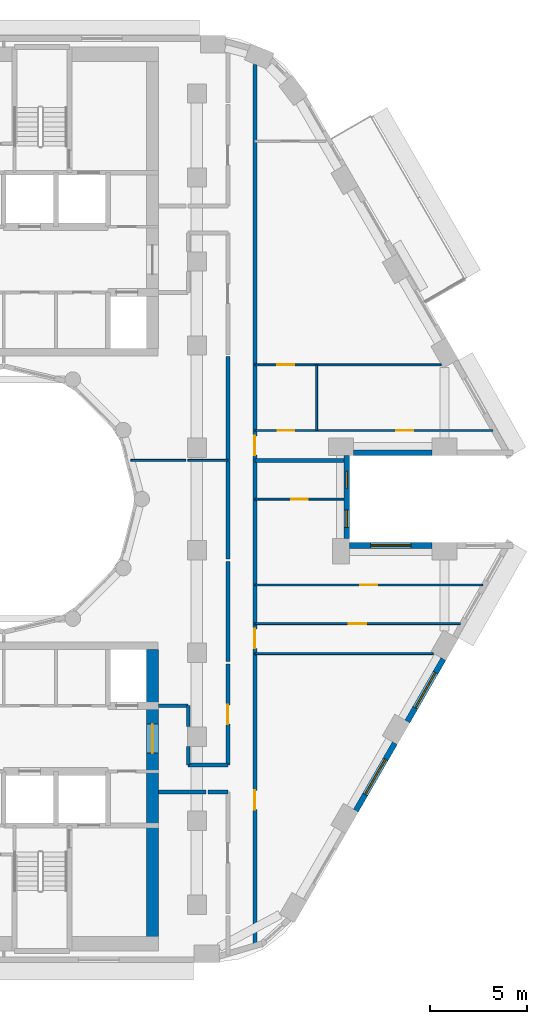
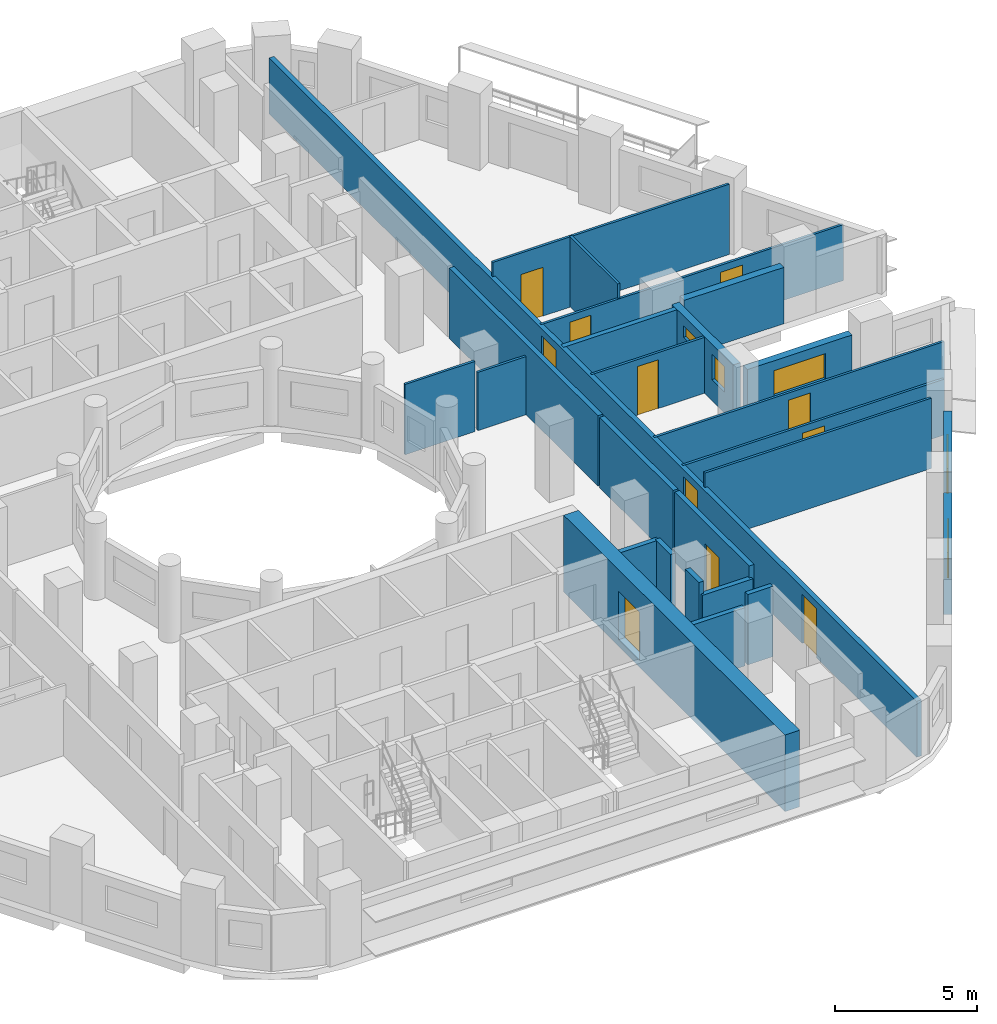
# One storey, part 6 of 14: 26 walls, 11 doors, 5 windows, 16 openings.
"""IFC4 building model written with IfcOpenShell, lengths in metres."""

from ifc_helpers import new_model, si_unit, direction, frame, frame_2d, origin, place, context, subcontext, project, spatial, rectangle, extrude, material, layer, layer_set, type_object, element, fill, save


model = new_model("IFC4")

# Units and contexts
model_context = context("Model", 3, precision=1e-05, world=origin(), true_north=direction((0.0, 1.0)))
body_context = subcontext(model_context, "Body", "Model", "MODEL_VIEW")
ifc_project = project(units=[si_unit("LENGTHUNIT", "METRE"), si_unit("AREAUNIT", "SQUARE_METRE"), si_unit("VOLUMEUNIT", "CUBIC_METRE"), si_unit("PLANEANGLEUNIT", "RADIAN"), si_unit("MASSUNIT", "GRAM", prefix="KILO")], contexts=[model_context])

# Site, building, storey
site_placement = place(None, origin())
site = spatial("IfcSite", under=ifc_project, at=site_placement, CompositionType="ELEMENT")
building_placement = place(site_placement, origin())
building = spatial("IfcBuilding", under=site, at=building_placement, Name="Nakaniwa Court", CompositionType="ELEMENT")
storey_placement = place(building_placement, frame((0.0, 0.0, 163.5)))
storey = spatial("IfcBuildingStorey", under=building, at=storey_placement, Name="L43", CompositionType="ELEMENT", Elevation=163.5)

# Wall, opening, door
ifc_material_1 = material(Name="Acoustic double stud partition")
ifc_layer_1 = layer(ifc_material_1, 0.199951171875)
ifc_layer_set_1 = layer_set([ifc_layer_1], Name="Acoustic double stud partition")
wall_type_1 = type_object("IfcWallType", Name="Acoustic double stud partition 200", PredefinedType="PARTITIONING", material=ifc_layer_set_1)
wall_1_placement = place(storey_placement, frame((91.60009765625, 66.22509765625, 0.0), z_axis=(0.0, 0.0, 1.0), x_axis=(0.0, 1.0, 0.0)))
wall_1 = element("IfcWall", 1, at=wall_1_placement, inside=storey, type_object=wall_type_1, Name="Partition PW-075", PredefinedType="PARTITIONING", context=body_context, shape_type="SweptSolid", body=[
    extrude(rectangle(XDim=5.247802734375, YDim=0.199951171875, at=frame_2d((2.6240234375, 0.0))), origin(), (0.0, 0.0, 1.0), 3.02490234375),
])
opening_1_placement = place(wall_1_placement, frame((2.123046875, 0.0, 0.0)))
opening_1 = element("IfcOpeningElement", 2, at=opening_1_placement, cuts=wall_1, Name="Opening D-02-03", PredefinedType="OPENING", context=body_context, shape_type="SweptSolid", body=[
    extrude(rectangle(XDim=1.0, YDim=2.10009765625, at=frame_2d((0.5, 1.050048828125))), frame((0.0, 0.10986328125, 0.0), z_axis=(0.0, -1.0, 0.0), x_axis=(1.0, 0.0, 0.0)), (0.0, 0.0, 1.0), 0.219970703125),
])
ifc_material_2 = material(Name="Solid core timber door set, black veneer", Category="wood")
door_type_1 = type_object("IfcDoorType", Name="Internal door 1000", OperationType="NOTDEFINED", PredefinedType="DOOR", material=ifc_material_2)
door_1_placement = place(opening_1_placement, origin())
door_1 = element("IfcDoor", 3, at=door_1_placement, inside=storey, type_object=door_type_1, Name="Door D-02-03 L43-031", OperationType="SINGLE_SWING_RIGHT", OverallHeight=2.10009765625, OverallWidth=1.0, PredefinedType="DOOR", context=body_context, shape_type="SweptSolid", body=[
    extrude(rectangle(XDim=1.0, YDim=2.10009765625, at=frame_2d((0.5, 1.050048828125))), frame((0.0, 0.02490234375, 0.0), z_axis=(0.0, -1.0, 0.0), x_axis=(1.0, 0.0, 0.0)), (0.0, 0.0, 1.0), 0.050048828125),
])
fill(opening_1, door_1)

# Walls
wall_2_placement = place(storey_placement, frame((91.60009765625, 71.587158203125, 0.0), z_axis=(0.0, 0.0, 1.0), x_axis=(0.0, 1.0, 0.0)))
element("IfcWall", 4, at=wall_2_placement, inside=storey, type_object=wall_type_1, Name="Partition PW-076", PredefinedType="PARTITIONING", context=body_context, shape_type="SweptSolid", body=[
    extrude(rectangle(XDim=5.185546875, YDim=0.199951171875, at=frame_2d((2.5927734375, 0.0))), origin(), (0.0, 0.0, 1.0), 3.02490234375),
])
wall_3_placement = place(storey_placement, frame((91.60009765625, 76.88720703125, 0.0), z_axis=(0.0, 0.0, 1.0), x_axis=(0.0, 1.0, 0.0)))
element("IfcWall", 5, at=wall_3_placement, inside=storey, type_object=wall_type_1, Name="Partition PW-077", PredefinedType="PARTITIONING", context=body_context, shape_type="SweptSolid", body=[
    extrude(rectangle(XDim=10.485595703125, YDim=0.199951171875, at=frame_2d((5.24267578125, 0.0))), origin(), (0.0, 0.0, 1.0), 3.02490234375),
])
wall_4_placement = place(storey_placement, frame((88.0, 64.824951171875, 0.0), z_axis=(0.0, 0.0, 1.0), x_axis=(1.0, 0.0, 0.0)))
element("IfcWall", 6, at=wall_4_placement, inside=storey, type_object=wall_type_1, Name="Partition PW-083", PredefinedType="PARTITIONING", context=body_context, shape_type="SweptSolid", body=[
    extrude(rectangle(XDim=2.462890625, YDim=0.199951171875, at=frame_2d((1.2314453125, 0.0))), origin(), (0.0, 0.0, 1.0), 2.5048828125),
])
wall_5_placement = place(storey_placement, frame((90.5771484375, 64.824951171875, 0.0), z_axis=(0.0, 0.0, 1.0), x_axis=(1.0, 0.0, 0.0)))
element("IfcWall", 7, at=wall_5_placement, inside=storey, type_object=wall_type_1, Name="Partition PW-084", PredefinedType="PARTITIONING", context=body_context, shape_type="SweptSolid", body=[
    extrude(rectangle(XDim=1.02294921875, YDim=0.199951171875, at=frame_2d((0.511474609375, 0.0))), origin(), (0.0, 0.0, 1.0), 3.02490234375),
])

# Wall, openings, doors
wall_6_placement = place(storey_placement, frame((93.0, 102.498046875, 0.0), z_axis=(0.0, 0.0, 1.0), x_axis=(0.0, -1.0, 0.0)))
wall_6 = element("IfcWall", 8, at=wall_6_placement, inside=storey, type_object=wall_type_1, Name="Partition PW-085", PredefinedType="PARTITIONING", context=body_context, shape_type="SweptSolid", body=[
    extrude(rectangle(XDim=45.664794921875, YDim=0.199951171875, at=frame_2d((22.83251953125, 0.0))), origin(), (0.0, 0.0, 1.0), 2.405029296875),
])
opening_2_placement = place(wall_6_placement, frame((37.5810546875, 0.0, 0.0)))
opening_2 = element("IfcOpeningElement", 9, at=opening_2_placement, cuts=wall_6, Name="Opening D-02-02", PredefinedType="OPENING", context=body_context, shape_type="SweptSolid", body=[
    extrude(rectangle(XDim=1.0, YDim=2.10009765625, at=frame_2d((0.5, 1.050048828125))), frame((0.0, 0.10986328125, 0.0), z_axis=(0.0, -1.0, 0.0), x_axis=(1.0, 0.0, 0.0)), (0.0, 0.0, 1.0), 0.219970703125),
])
opening_3_placement = place(wall_6_placement, frame((29.222900390625, 0.0, 0.0)))
opening_3 = element("IfcOpeningElement", 10, at=opening_3_placement, cuts=wall_6, Name="Opening D-01-01", PredefinedType="OPENING", context=body_context, shape_type="SweptSolid", body=[
    extrude(rectangle(XDim=1.0, YDim=2.10009765625, at=frame_2d((0.5, 1.050048828125))), frame((0.0, 0.10986328125, 0.0), z_axis=(0.0, -1.0, 0.0), x_axis=(1.0, 0.0, 0.0)), (0.0, 0.0, 1.0), 0.219970703125),
])
opening_4_placement = place(wall_6_placement, frame((19.222900390625, 0.0, 0.0)))
opening_4 = element("IfcOpeningElement", 11, at=opening_4_placement, cuts=wall_6, Name="Opening D-01-02", PredefinedType="OPENING", context=body_context, shape_type="SweptSolid", body=[
    extrude(rectangle(XDim=1.0, YDim=2.10009765625, at=frame_2d((0.5, 1.050048828125))), frame((0.0, 0.10986328125, 0.0), z_axis=(0.0, -1.0, 0.0), x_axis=(1.0, 0.0, 0.0)), (0.0, 0.0, 1.0), 0.219970703125),
])
door_type_2 = type_object("IfcDoorType", Name="Flat entrance door 1000", OperationType="NOTDEFINED", PredefinedType="DOOR", material=ifc_material_2)
door_2_placement = place(opening_3_placement, origin())
door_2 = element("IfcDoor", 12, at=door_2_placement, inside=storey, type_object=door_type_2, Name="Door D-01-01 L43-032", OperationType="SINGLE_SWING_LEFT", OverallHeight=2.10009765625, OverallWidth=1.0, PredefinedType="DOOR", context=body_context, shape_type="SweptSolid", body=[
    extrude(rectangle(XDim=1.0, YDim=2.10009765625, at=frame_2d((0.5, 1.050048828125))), frame((0.0, 0.02490234375, 0.0), z_axis=(0.0, -1.0, 0.0), x_axis=(1.0, 0.0, 0.0)), (0.0, 0.0, 1.0), 0.050048828125),
])
fill(opening_3, door_2)
door_3_placement = place(opening_4_placement, origin())
door_3 = element("IfcDoor", 13, at=door_3_placement, inside=storey, type_object=door_type_2, Name="Door D-01-02 L43-036", OperationType="SINGLE_SWING_LEFT", OverallHeight=2.10009765625, OverallWidth=1.0, PredefinedType="DOOR", context=body_context, shape_type="SweptSolid", body=[
    extrude(rectangle(XDim=1.0, YDim=2.10009765625, at=frame_2d((0.5, 1.050048828125))), frame((0.0, 0.02490234375, 0.0), z_axis=(0.0, -1.0, 0.0), x_axis=(1.0, 0.0, 0.0)), (0.0, 0.0, 1.0), 0.050048828125),
])
fill(opening_4, door_3)
door_4_placement = place(opening_2_placement, origin())
door_4 = element("IfcDoor", 14, at=door_4_placement, inside=storey, type_object=door_type_1, Name="Door D-02-02 L43-030", OperationType="SINGLE_SWING_LEFT", OverallHeight=2.10009765625, OverallWidth=1.0, PredefinedType="DOOR", context=body_context, shape_type="SweptSolid", body=[
    extrude(rectangle(XDim=1.0, YDim=2.10009765625, at=frame_2d((0.5, 1.050048828125))), frame((0.0, 0.02490234375, 0.0), z_axis=(0.0, -1.0, 0.0), x_axis=(1.0, 0.0, 0.0)), (0.0, 0.0, 1.0), 0.050048828125),
])
fill(opening_2, door_4)

# Walls
wall_7_placement = place(storey_placement, frame((88.0, 69.300048828125, 0.0), z_axis=(0.0, 0.0, 1.0), x_axis=(1.0, 0.0, 0.0)))
element("IfcWall", 15, at=wall_7_placement, inside=storey, type_object=wall_type_1, Name="Partition PW-087", PredefinedType="PARTITIONING", context=body_context, shape_type="SweptSolid", body=[
    extrude(rectangle(XDim=1.550048828125, YDim=0.199951171875, at=frame_2d((0.77490234375, 0.0))), origin(), (0.0, 0.0, 1.0), 3.02490234375),
])
wall_8_placement = place(storey_placement, frame((89.550048828125, 66.22509765625, 0.0), z_axis=(0.0, 0.0, 1.0), x_axis=(0.0, 1.0, 0.0)))
element("IfcWall", 16, at=wall_8_placement, inside=storey, type_object=wall_type_1, Name="Partition PW-088", PredefinedType="PARTITIONING", context=body_context, shape_type="SweptSolid", body=[
    extrude(rectangle(XDim=0.957763671875, YDim=0.199951171875, at=frame_2d((0.47900390625, 0.0))), origin(), (0.0, 0.0, 1.0), 3.02490234375),
])
wall_9_placement = place(storey_placement, frame((89.550048828125, 68.21728515625, 0.0), z_axis=(0.0, 0.0, 1.0), x_axis=(0.0, 1.0, 0.0)))
element("IfcWall", 17, at=wall_9_placement, inside=storey, type_object=wall_type_1, Name="Partition PW-089", PredefinedType="PARTITIONING", context=body_context, shape_type="SweptSolid", body=[
    extrude(rectangle(XDim=1.082763671875, YDim=0.199951171875, at=frame_2d((0.54150390625, 0.0))), origin(), (0.0, 0.0, 1.0), 3.02490234375),
])
wall_10_placement = place(storey_placement, frame((89.550048828125, 66.22509765625, 0.0), z_axis=(0.0, 0.0, 1.0), x_axis=(1.0, 0.0, 0.0)))
element("IfcWall", 18, at=wall_10_placement, inside=storey, type_object=wall_type_1, Name="Partition PW-093", PredefinedType="PARTITIONING", context=body_context, shape_type="SweptSolid", body=[
    extrude(rectangle(XDim=2.050048828125, YDim=0.199951171875, at=frame_2d((1.02490234375, 0.0))), origin(), (0.0, 0.0, 1.0), 2.5048828125),
])
wall_11_placement = place(storey_placement, frame((93.0009765625, 82.0, 0.0), z_axis=(0.0, 0.0, 1.0), x_axis=(1.0, 0.0, 0.0)))
element("IfcWall", 19, at=wall_11_placement, inside=storey, type_object=wall_type_1, Name="Partition PW-127", PredefinedType="PARTITIONING", context=body_context, shape_type="SweptSolid", body=[
    extrude(rectangle(XDim=4.607421875, YDim=0.199951171875, at=frame_2d((2.3037109375, 0.0))), origin(), (0.0, 0.0, 1.0), 2.405029296875),
])
ifc_material_3 = material(Name="Charcoal ceramic cladding")
ifc_layer_2 = layer(ifc_material_3, 0.02, Name="Ceramic cladding")
ifc_material_4 = material(Name="Ventilated air cavity")
ifc_layer_3 = layer(ifc_material_4, 0.04, ventilated=True, Name="Ventilated cavity")
ifc_material_5 = material(Name="Mineral wool insulation")
ifc_layer_4 = layer(ifc_material_5, 0.1, Name="Insulation")
ifc_material_6 = material(Name="Cement bonded sheathing board")
ifc_layer_5 = layer(ifc_material_6, 0.012, Name="Sheathing")
ifc_material_7 = material(Name="Cold-formed galvanised stud frame with mineral wool infill")
ifc_layer_6 = layer(ifc_material_7, 0.1, Name="Stud frame")
ifc_material_8 = material(Name="Fire-rated gypsum plasterboard lining")
ifc_layer_7 = layer(ifc_material_8, 0.028, Name="Lining")
ifc_layer_set_2 = layer_set([ifc_layer_2, ifc_layer_3, ifc_layer_4, ifc_layer_5, ifc_layer_6, ifc_layer_7], Name="Charcoal ceramic faced external wall system")
wall_type_2 = type_object("IfcWallType", Name="Black ceramic faced external wall 300", PredefinedType="SOLIDWALL", material=ifc_layer_set_2)
wall_12_placement = place(storey_placement, frame((98.1044921875, 82.39990234375, 0.0), z_axis=(0.0, 0.0, 1.0), x_axis=(1.0, 0.0, 0.0)))
element("IfcWall", 20, at=wall_12_placement, inside=storey, type_object=wall_type_2, Name="L43 external wall 00", PredefinedType="SOLIDWALL", context=body_context, shape_type="SweptSolid", body=[
    extrude(rectangle(XDim=4.072509765625, YDim=0.300048828125, at=frame_2d((2.0361328125, 0.0))), origin(), (0.0, 0.0, 1.0), 2.425048828125),
])

# Wall, opening, window
wall_13_placement = place(storey_placement, frame((98.228271484375, 63.872314453125, 0.0), z_axis=(0.0, 0.0, 1.0), x_axis=(0.500031546601, 0.86600718958, 0.0)))
wall_13 = element("IfcWall", 21, at=wall_13_placement, inside=storey, type_object=wall_type_2, Name="L43 external wall 30", PredefinedType="SOLIDWALL", context=body_context, shape_type="SweptSolid", body=[
    extrude(rectangle(XDim=4.033935546875, YDim=0.300048828125, at=frame_2d((2.01708984375, 0.0))), origin(), (0.0, 0.0, 1.0), 2.425048828125),
])
opening_5_placement = place(wall_13_placement, frame((0.966796875, 0.0, 0.89990234375)))
opening_5 = element("IfcOpeningElement", 22, at=opening_5_placement, cuts=wall_13, Name="Opening W7.27", PredefinedType="OPENING", context=body_context, shape_type="SweptSolid", body=[
    extrude(rectangle(XDim=2.10009765625, YDim=1.10009765625, at=frame_2d((1.050048828125, 0.550048828125))), frame((0.0, 0.159912109375, 0.0), z_axis=(0.0, -1.0, 0.0), x_axis=(1.0, 0.0, 0.0)), (0.0, 0.0, 1.0), 0.320068359375),
])
ifc_material_9 = material(Name="Black anodised aluminium frame with dark low-E laminated double glazing", Category="aluminium")
window_type_1 = type_object("IfcWindowType", Name="Dark glass window 2100x1100 sill 900", PartitioningType="SINGLE_PANEL", PredefinedType="WINDOW", material=ifc_material_9)
window_1_placement = place(opening_5_placement, origin())
window_1 = element("IfcWindow", 23, at=window_1_placement, inside=storey, type_object=window_type_1, Name="L43 habitable room window 30-0", OverallHeight=1.10009765625, OverallWidth=2.10009765625, PartitioningType="SINGLE_PANEL", PredefinedType="WINDOW", context=body_context, shape_type="SweptSolid", body=[
    extrude(rectangle(XDim=2.10009765625, YDim=1.10009765625, at=frame_2d((1.050048828125, 0.550048828125))), frame((0.0, 0.030029296875, 0.0), z_axis=(0.0, -1.0, 0.0), x_axis=(1.0, 0.0, 0.0)), (0.0, 0.0, 1.0), 0.06005859375),
])
fill(opening_5, window_1)

wall_14_placement = place(storey_placement, frame((100.891357421875, 68.484619140625, 0.0), z_axis=(0.0, 0.0, 1.0), x_axis=(0.499933594891, 0.866063739398, 0.0)))
wall_14 = element("IfcWall", 24, at=wall_14_placement, inside=storey, type_object=wall_type_2, Name="L43 external wall 31", PredefinedType="SOLIDWALL", context=body_context, shape_type="SweptSolid", body=[
    extrude(rectangle(XDim=3.73681640625, YDim=0.300048828125, at=frame_2d((1.868408203125, 0.0))), origin(), (0.0, 0.0, 1.0), 2.425048828125),
])
opening_6_placement = place(wall_14_placement, frame((0.818359375, 0.0, 0.89990234375)))
opening_6 = element("IfcOpeningElement", 25, at=opening_6_placement, cuts=wall_14, Name="Opening W7.28", PredefinedType="OPENING", context=body_context, shape_type="SweptSolid", body=[
    extrude(rectangle(XDim=2.10009765625, YDim=1.10009765625, at=frame_2d((1.050048828125, 0.550048828125))), frame((0.0, 0.159912109375, 0.0), z_axis=(0.0, -1.0, 0.0), x_axis=(1.0, 0.0, 0.0)), (0.0, 0.0, 1.0), 0.320068359375),
])
window_2_placement = place(opening_6_placement, origin())
window_2 = element("IfcWindow", 26, at=window_2_placement, inside=storey, type_object=window_type_1, Name="L43 habitable room window 31-0", OverallHeight=1.10009765625, OverallWidth=2.10009765625, PartitioningType="SINGLE_PANEL", PredefinedType="WINDOW", context=body_context, shape_type="SweptSolid", body=[
    extrude(rectangle(XDim=2.10009765625, YDim=1.10009765625, at=frame_2d((1.050048828125, 0.550048828125))), frame((0.0, 0.030029296875, 0.0), z_axis=(0.0, -1.0, 0.0), x_axis=(1.0, 0.0, 0.0)), (0.0, 0.0, 1.0), 0.06005859375),
])
fill(opening_6, window_2)

wall_15_placement = place(storey_placement, frame((102.177001953125, 77.60009765625, 0.0), z_axis=(0.0, 0.0, 1.0), x_axis=(-1.0, 0.0, 0.0)))
wall_15 = element("IfcWall", 27, at=wall_15_placement, inside=storey, type_object=wall_type_2, Name="L43 external wall 34", PredefinedType="SOLIDWALL", context=body_context, shape_type="SweptSolid", body=[
    extrude(rectangle(XDim=4.272705078125, YDim=0.300048828125, at=frame_2d((2.13623046875, 0.0))), origin(), (0.0, 0.0, 1.0), 2.425048828125),
])
opening_7_placement = place(wall_15_placement, frame((1.086181640625, 0.0, 0.89990234375)))
opening_7 = element("IfcOpeningElement", 28, at=opening_7_placement, cuts=wall_15, Name="Opening W7.32", PredefinedType="OPENING", context=body_context, shape_type="SweptSolid", body=[
    extrude(rectangle(XDim=2.10009765625, YDim=1.10009765625, at=frame_2d((1.050048828125, 0.550048828125))), frame((0.0, 0.159912109375, 0.0), z_axis=(0.0, -1.0, 0.0), x_axis=(1.0, 0.0, 0.0)), (0.0, 0.0, 1.0), 0.320068359375),
])
window_3_placement = place(opening_7_placement, origin())
window_3 = element("IfcWindow", 29, at=window_3_placement, inside=storey, type_object=window_type_1, Name="L43 living window 34-0", OverallHeight=1.10009765625, OverallWidth=2.10009765625, PartitioningType="SINGLE_PANEL", PredefinedType="WINDOW", context=body_context, shape_type="SweptSolid", body=[
    extrude(rectangle(XDim=2.10009765625, YDim=1.10009765625, at=frame_2d((1.050048828125, 0.550048828125))), frame((0.0, 0.030029296875, 0.0), z_axis=(0.0, -1.0, 0.0), x_axis=(1.0, 0.0, 0.0)), (0.0, 0.0, 1.0), 0.06005859375),
])
fill(opening_7, window_3)

# Wall, openings, windows
wall_16_placement = place(storey_placement, frame((97.75830078125, 77.946044921875, 0.0), z_axis=(0.0, 0.0, 1.0), x_axis=(0.0, 1.0, 0.0)))
wall_16 = element("IfcWall", 30, at=wall_16_placement, inside=storey, type_object=wall_type_2, Name="L43 external wall 35", PredefinedType="SOLIDWALL", context=body_context, shape_type="SweptSolid", body=[
    extrude(rectangle(XDim=4.307861328125, YDim=0.300048828125, at=frame_2d((2.15380859375, 0.0))), origin(), (0.0, 0.0, 1.0), 2.425048828125),
])
opening_8_placement = place(wall_16_placement, frame((0.58837890625, 0.0, 0.89990234375)))
opening_8 = element("IfcOpeningElement", 31, at=opening_8_placement, cuts=wall_16, Name="Opening W9.33", PredefinedType="OPENING", context=body_context, shape_type="SweptSolid", body=[
    extrude(rectangle(XDim=0.89990234375, YDim=1.10009765625, at=frame_2d((0.449951171875, 0.550048828125))), frame((0.0, 0.159912109375, 0.0), z_axis=(0.0, -1.0, 0.0), x_axis=(1.0, 0.0, 0.0)), (0.0, 0.0, 1.0), 0.320068359375),
])
opening_9_placement = place(wall_16_placement, frame((2.603271484375, 0.0, 1.5)))
opening_9 = element("IfcOpeningElement", 32, at=opening_9_placement, cuts=wall_16, Name="Opening W10.34", PredefinedType="OPENING", context=body_context, shape_type="SweptSolid", body=[
    extrude(rectangle(XDim=0.89990234375, YDim=0.5, at=frame_2d((0.449951171875, 0.25))), frame((0.0, 0.159912109375, 0.0), z_axis=(0.0, -1.0, 0.0), x_axis=(1.0, 0.0, 0.0)), (0.0, 0.0, 1.0), 0.320068359375),
])
window_type_2 = type_object("IfcWindowType", Name="Dark glass window 900x1100 sill 900", PartitioningType="SINGLE_PANEL", PredefinedType="WINDOW", material=ifc_material_9)
window_4_placement = place(opening_8_placement, origin())
window_4 = element("IfcWindow", 33, at=window_4_placement, inside=storey, type_object=window_type_2, Name="L43 living window 35-0", OverallHeight=1.10009765625, OverallWidth=0.89990234375, PartitioningType="SINGLE_PANEL", PredefinedType="WINDOW", context=body_context, shape_type="SweptSolid", body=[
    extrude(rectangle(XDim=0.89990234375, YDim=1.10009765625, at=frame_2d((0.449951171875, 0.550048828125))), frame((0.0, 0.030029296875, 0.0), z_axis=(0.0, -1.0, 0.0), x_axis=(1.0, 0.0, 0.0)), (0.0, 0.0, 1.0), 0.06005859375),
])
fill(opening_8, window_4)
window_type_3 = type_object("IfcWindowType", Name="Dark glass window 900x500 sill 1500", PartitioningType="SINGLE_PANEL", PredefinedType="WINDOW", material=ifc_material_9)
window_5_placement = place(opening_9_placement, origin())
window_5 = element("IfcWindow", 34, at=window_5_placement, inside=storey, type_object=window_type_3, Name="L43 bathroom window 35-1", OverallHeight=0.5, OverallWidth=0.89990234375, PartitioningType="SINGLE_PANEL", PredefinedType="WINDOW", context=body_context, shape_type="SweptSolid", body=[
    extrude(rectangle(XDim=0.89990234375, YDim=0.5, at=frame_2d((0.449951171875, 0.25))), frame((0.0, 0.030029296875, 0.0), z_axis=(0.0, -1.0, 0.0), x_axis=(1.0, 0.0, 0.0)), (0.0, 0.0, 1.0), 0.06005859375),
])
fill(opening_9, window_5)

# Wall, opening, door
ifc_material_10 = material(Name="Concrete C80/100", Category="concrete")
ifc_layer_8 = layer(ifc_material_10, 0.60009765625)
ifc_layer_set_3 = layer_set([ifc_layer_8], Name="Concrete C80/100")
wall_type_3 = type_object("IfcWallType", Name="Concrete core side wall 600 C80", PredefinedType="SHEAR", material=ifc_layer_set_3)
wall_17_placement = place(storey_placement, frame((87.699951171875, 72.199951171875, -0.27490234375), z_axis=(0.0, 0.0, 1.0), x_axis=(0.0, -1.0, 0.0)))
wall_17 = element("IfcWall", 35, at=wall_17_placement, inside=storey, type_object=wall_type_3, Name="Core wall SW-43", PredefinedType="SHEAR", context=body_context, shape_type="SweptSolid", body=[
    extrude(rectangle(XDim=15.599853515625, YDim=0.60009765625, at=frame_2d((7.7998046875, 0.0))), origin(), (0.0, 0.0, 1.0), 3.2998046875),
])
opening_10_placement = place(wall_17_placement, frame((3.85205078125, 0.0, 0.27490234375)))
opening_10 = element("IfcOpeningElement", 36, at=opening_10_placement, cuts=wall_17, Name="Opening D-07-03", PredefinedType="OPENING", context=body_context, shape_type="SweptSolid", body=[
    extrude(rectangle(XDim=1.5, YDim=2.10009765625, at=frame_2d((0.75, 1.050048828125))), frame((0.0, 0.31005859375, 0.0), z_axis=(0.0, -1.0, 0.0), x_axis=(1.0, 0.0, 0.0)), (0.0, 0.0, 1.0), 0.6201171875),
])
ifc_material_11 = material(Name="Glazed fire rated steel double door set", Category="steel")
door_type_3 = type_object("IfcDoorType", Name="Lobby double door 1500", OperationType="NOTDEFINED", PredefinedType="DOOR", material=ifc_material_11)
door_5_placement = place(opening_10_placement, origin())
door_5 = element("IfcDoor", 37, at=door_5_placement, inside=storey, type_object=door_type_3, Name="Door D-07-03 L43-060", OperationType="DOUBLE_DOOR_SINGLE_SWING", OverallHeight=2.10009765625, OverallWidth=1.5, PredefinedType="DOOR", context=body_context, shape_type="SweptSolid", body=[
    extrude(rectangle(XDim=1.5, YDim=2.10009765625, at=frame_2d((0.75, 1.050048828125))), frame((0.0, 0.02490234375, 0.0), z_axis=(0.0, -1.0, 0.0), x_axis=(1.0, 0.0, 0.0)), (0.0, 0.0, 1.0), 0.050048828125),
])
fill(opening_10, door_5)

# Walls
ifc_material_12 = material(Name="Single stud plasterboard partition")
ifc_layer_9 = layer(ifc_material_12, 0.10009765625)
ifc_layer_set_4 = layer_set([ifc_layer_9], Name="Single stud plasterboard partition")
wall_type_4 = type_object("IfcWallType", Name="Single stud plasterboard partition 100", PredefinedType="PARTITIONING", material=ifc_layer_set_4)
wall_18_placement = place(storey_placement, frame((93.0009765625, 72.0, 0.0), z_axis=(0.0, 0.0, 1.0), x_axis=(1.0, 0.0, 0.0)))
element("IfcWall", 38, at=wall_18_placement, inside=storey, type_object=wall_type_4, Name="Partition PW-120", PredefinedType="PARTITIONING", context=body_context, shape_type="SweptSolid", body=[
    extrude(rectangle(XDim=9.227294921875, YDim=0.10009765625, at=frame_2d((4.61376953125, 0.0))), origin(), (0.0, 0.0, 1.0), 3.02490234375),
])
wall_19_placement = place(storey_placement, frame((86.578125, 82.0, 0.0), z_axis=(0.0, 0.0, 1.0), x_axis=(1.0, 0.0, 0.0)))
element("IfcWall", 39, at=wall_19_placement, inside=storey, type_object=wall_type_4, Name="Partition PW-121", PredefinedType="PARTITIONING", context=body_context, shape_type="SweptSolid", body=[
    extrude(rectangle(XDim=2.844970703125, YDim=0.10009765625, at=frame_2d((1.42236328125, 0.0))), origin(), (0.0, 0.0, 1.0), 3.02490234375),
])
wall_20_placement = place(storey_placement, frame((89.537109375, 82.0, 0.0), z_axis=(0.0, 0.0, 1.0), x_axis=(1.0, 0.0, 0.0)))
element("IfcWall", 40, at=wall_20_placement, inside=storey, type_object=wall_type_4, Name="Partition PW-122", PredefinedType="PARTITIONING", context=body_context, shape_type="SweptSolid", body=[
    extrude(rectangle(XDim=2.06201171875, YDim=0.10009765625, at=frame_2d((1.031005859375, 0.0))), origin(), (0.0, 0.0, 1.0), 2.5048828125),
])

# Wall, opening, door
wall_21_placement = place(storey_placement, frame((93.0009765625, 73.550048828125, 0.0), z_axis=(0.0, 0.0, 1.0), x_axis=(1.0, 0.0, 0.0)))
wall_21 = element("IfcWall", 41, at=wall_21_placement, inside=storey, type_object=wall_type_4, Name="Partition PW-124", PredefinedType="PARTITIONING", context=body_context, shape_type="SweptSolid", body=[
    extrude(rectangle(XDim=10.6416015625, YDim=0.10009765625, at=frame_2d((5.32080078125, 0.0))), origin(), (0.0, 0.0, 1.0), 2.405029296875),
])
opening_11_placement = place(wall_21_placement, frame((4.87109375, 0.0, 0.0)))
opening_11 = element("IfcOpeningElement", 42, at=opening_11_placement, cuts=wall_21, Name="Opening D-33-01", PredefinedType="OPENING", context=body_context, shape_type="SweptSolid", body=[
    extrude(rectangle(XDim=0.89990234375, YDim=2.10009765625, at=frame_2d((0.449951171875, 1.050048828125))), frame((0.0, 0.06005859375, 0.0), z_axis=(0.0, -1.0, 0.0), x_axis=(1.0, 0.0, 0.0)), (0.0, 0.0, 1.0), 0.1201171875),
])
door_type_4 = type_object("IfcDoorType", Name="Internal door 900", OperationType="NOTDEFINED", PredefinedType="DOOR", material=ifc_material_2)
door_6_placement = place(opening_11_placement, origin())
door_6 = element("IfcDoor", 43, at=door_6_placement, inside=storey, type_object=door_type_4, Name="Door D-33-01 L43-033", OperationType="SINGLE_SWING_RIGHT", OverallHeight=2.10009765625, OverallWidth=0.89990234375, PredefinedType="DOOR", context=body_context, shape_type="SweptSolid", body=[
    extrude(rectangle(XDim=0.89990234375, YDim=2.10009765625, at=frame_2d((0.449951171875, 1.050048828125))), frame((0.0, 0.02490234375, 0.0), z_axis=(0.0, -1.0, 0.0), x_axis=(1.0, 0.0, 0.0)), (0.0, 0.0, 1.0), 0.050048828125),
])
fill(opening_11, door_6)

wall_22_placement = place(storey_placement, frame((93.0009765625, 75.551025390625, 0.0), z_axis=(0.0, 0.0, 1.0), x_axis=(1.0, 0.0, 0.0)))
wall_22 = element("IfcWall", 44, at=wall_22_placement, inside=storey, type_object=wall_type_4, Name="Partition PW-125", PredefinedType="PARTITIONING", context=body_context, shape_type="SweptSolid", body=[
    extrude(rectangle(XDim=11.797119140625, YDim=0.10009765625, at=frame_2d((5.8984375, 0.0))), origin(), (0.0, 0.0, 1.0), 2.405029296875),
])
opening_12_placement = place(wall_22_placement, frame((5.447998046875, 0.0, 0.0)))
opening_12 = element("IfcOpeningElement", 45, at=opening_12_placement, cuts=wall_22, Name="Opening D-33-02", PredefinedType="OPENING", context=body_context, shape_type="SweptSolid", body=[
    extrude(rectangle(XDim=0.89990234375, YDim=2.10009765625, at=frame_2d((0.449951171875, 1.050048828125))), frame((0.0, 0.06005859375, 0.0), z_axis=(0.0, -1.0, 0.0), x_axis=(1.0, 0.0, 0.0)), (0.0, 0.0, 1.0), 0.1201171875),
])
door_7_placement = place(opening_12_placement, origin())
door_7 = element("IfcDoor", 46, at=door_7_placement, inside=storey, type_object=door_type_4, Name="Door D-33-02 L43-034", OperationType="SINGLE_SWING_LEFT", OverallHeight=2.10009765625, OverallWidth=0.89990234375, PredefinedType="DOOR", context=body_context, shape_type="SweptSolid", body=[
    extrude(rectangle(XDim=0.89990234375, YDim=2.10009765625, at=frame_2d((0.449951171875, 1.050048828125))), frame((0.0, 0.02490234375, 0.0), z_axis=(0.0, -1.0, 0.0), x_axis=(1.0, 0.0, 0.0)), (0.0, 0.0, 1.0), 0.050048828125),
])
fill(opening_12, door_7)

wall_23_placement = place(storey_placement, frame((93.0009765625, 79.9990234375, 0.0), z_axis=(0.0, 0.0, 1.0), x_axis=(1.0, 0.0, 0.0)))
wall_23 = element("IfcWall", 47, at=wall_23_placement, inside=storey, type_object=wall_type_4, Name="Partition PW-126", PredefinedType="PARTITIONING", context=body_context, shape_type="SweptSolid", body=[
    extrude(rectangle(XDim=4.607421875, YDim=0.10009765625, at=frame_2d((2.3037109375, 0.0))), origin(), (0.0, 0.0, 1.0), 2.405029296875),
])
opening_13_placement = place(wall_23_placement, frame((1.87890625, 0.0, 0.0)))
opening_13 = element("IfcOpeningElement", 48, at=opening_13_placement, cuts=wall_23, Name="Opening D-03-01", PredefinedType="OPENING", context=body_context, shape_type="SweptSolid", body=[
    extrude(rectangle(XDim=0.85009765625, YDim=2.10009765625, at=frame_2d((0.425048828125, 1.050048828125))), frame((0.0, 0.06005859375, 0.0), z_axis=(0.0, -1.0, 0.0), x_axis=(1.0, 0.0, 0.0)), (0.0, 0.0, 1.0), 0.1201171875),
])
ifc_material_13 = material(Name="Moisture sealed timber door set", Category="wood")
door_type_5 = type_object("IfcDoorType", Name="Bathroom door 850", OperationType="NOTDEFINED", PredefinedType="DOOR", material=ifc_material_13)
door_8_placement = place(opening_13_placement, origin())
door_8 = element("IfcDoor", 49, at=door_8_placement, inside=storey, type_object=door_type_5, Name="Door D-03-01 L43-035", OperationType="SINGLE_SWING_RIGHT", OverallHeight=2.10009765625, OverallWidth=0.85009765625, PredefinedType="DOOR", context=body_context, shape_type="SweptSolid", body=[
    extrude(rectangle(XDim=0.85009765625, YDim=2.10009765625, at=frame_2d((0.425048828125, 1.050048828125))), frame((0.0, 0.02490234375, 0.0), z_axis=(0.0, -1.0, 0.0), x_axis=(1.0, 0.0, 0.0)), (0.0, 0.0, 1.0), 0.050048828125),
])
fill(opening_13, door_8)

# Wall, openings, doors
wall_24_placement = place(storey_placement, frame((93.0009765625, 83.550048828125, 0.0), z_axis=(0.0, 0.0, 1.0), x_axis=(1.0, 0.0, 0.0)))
wall_24 = element("IfcWall", 50, at=wall_24_placement, inside=storey, type_object=wall_type_4, Name="Partition PW-128", PredefinedType="PARTITIONING", context=body_context, shape_type="SweptSolid", body=[
    extrude(rectangle(XDim=12.31591796875, YDim=0.10009765625, at=frame_2d((6.157958984375, 0.0))), origin(), (0.0, 0.0, 1.0), 2.405029296875),
])
opening_14_placement = place(wall_24_placement, frame((1.175048828125, 0.0, 0.0)))
opening_14 = element("IfcOpeningElement", 51, at=opening_14_placement, cuts=wall_24, Name="Opening D-03-02", PredefinedType="OPENING", context=body_context, shape_type="SweptSolid", body=[
    extrude(rectangle(XDim=0.85009765625, YDim=2.10009765625, at=frame_2d((0.425048828125, 1.050048828125))), frame((0.0, 0.06005859375, 0.0), z_axis=(0.0, -1.0, 0.0), x_axis=(1.0, 0.0, 0.0)), (0.0, 0.0, 1.0), 0.1201171875),
])
opening_15_placement = place(wall_24_placement, frame((7.30810546875, 0.0, 0.0)))
opening_15 = element("IfcOpeningElement", 52, at=opening_15_placement, cuts=wall_24, Name="Opening D-33-03", PredefinedType="OPENING", context=body_context, shape_type="SweptSolid", body=[
    extrude(rectangle(XDim=0.89990234375, YDim=2.10009765625, at=frame_2d((0.449951171875, 1.050048828125))), frame((0.0, 0.06005859375, 0.0), z_axis=(0.0, -1.0, 0.0), x_axis=(1.0, 0.0, 0.0)), (0.0, 0.0, 1.0), 0.1201171875),
])
door_9_placement = place(opening_14_placement, origin())
door_9 = element("IfcDoor", 53, at=door_9_placement, inside=storey, type_object=door_type_5, Name="Door D-03-02 L43-037", OperationType="SINGLE_SWING_RIGHT", OverallHeight=2.10009765625, OverallWidth=0.85009765625, PredefinedType="DOOR", context=body_context, shape_type="SweptSolid", body=[
    extrude(rectangle(XDim=0.85009765625, YDim=2.10009765625, at=frame_2d((0.425048828125, 1.050048828125))), frame((0.0, 0.02490234375, 0.0), z_axis=(0.0, -1.0, 0.0), x_axis=(1.0, 0.0, 0.0)), (0.0, 0.0, 1.0), 0.050048828125),
])
fill(opening_14, door_9)
door_10_placement = place(opening_15_placement, origin())
door_10 = element("IfcDoor", 54, at=door_10_placement, inside=storey, type_object=door_type_4, Name="Door D-33-03 L43-038", OperationType="SINGLE_SWING_LEFT", OverallHeight=2.10009765625, OverallWidth=0.89990234375, PredefinedType="DOOR", context=body_context, shape_type="SweptSolid", body=[
    extrude(rectangle(XDim=0.89990234375, YDim=2.10009765625, at=frame_2d((0.449951171875, 1.050048828125))), frame((0.0, 0.02490234375, 0.0), z_axis=(0.0, -1.0, 0.0), x_axis=(1.0, 0.0, 0.0)), (0.0, 0.0, 1.0), 0.050048828125),
])
fill(opening_15, door_10)

# Wall
wall_25_placement = place(storey_placement, frame((96.200927734375, 83.550048828125, 0.0), z_axis=(0.0, 0.0, 1.0), x_axis=(0.0, 1.0, 0.0)))
element("IfcWall", 55, at=wall_25_placement, inside=storey, type_object=wall_type_4, Name="Partition PW-129", PredefinedType="PARTITIONING", context=body_context, shape_type="SweptSolid", body=[
    extrude(rectangle(XDim=3.39990234375, YDim=0.10009765625, at=frame_2d((1.699951171875, 0.0))), origin(), (0.0, 0.0, 1.0), 3.02490234375),
])

# Wall, opening, door
wall_26_placement = place(storey_placement, frame((93.0009765625, 86.949951171875, 0.0), z_axis=(0.0, 0.0, 1.0), x_axis=(1.0, 0.0, 0.0)))
wall_26 = element("IfcWall", 56, at=wall_26_placement, inside=storey, type_object=wall_type_4, Name="Partition PW-130", PredefinedType="PARTITIONING", context=body_context, shape_type="SweptSolid", body=[
    extrude(rectangle(XDim=9.636962890625, YDim=0.10009765625, at=frame_2d((4.818359375, 0.0))), origin(), (0.0, 0.0, 1.0), 3.02490234375),
])
opening_16_placement = place(wall_26_placement, frame((1.15087890625, 0.0, 0.0)))
opening_16 = element("IfcOpeningElement", 57, at=opening_16_placement, cuts=wall_26, Name="Opening D-33-04", PredefinedType="OPENING", context=body_context, shape_type="SweptSolid", body=[
    extrude(rectangle(XDim=0.89990234375, YDim=2.10009765625, at=frame_2d((0.449951171875, 1.050048828125))), frame((0.0, 0.06005859375, 0.0), z_axis=(0.0, -1.0, 0.0), x_axis=(1.0, 0.0, 0.0)), (0.0, 0.0, 1.0), 0.1201171875),
])
door_11_placement = place(opening_16_placement, origin())
door_11 = element("IfcDoor", 58, at=door_11_placement, inside=storey, type_object=door_type_4, Name="Door D-33-04 L43-039", OperationType="SINGLE_SWING_RIGHT", OverallHeight=2.10009765625, OverallWidth=0.89990234375, PredefinedType="DOOR", context=body_context, shape_type="SweptSolid", body=[
    extrude(rectangle(XDim=0.89990234375, YDim=2.10009765625, at=frame_2d((0.449951171875, 1.050048828125))), frame((0.0, 0.02490234375, 0.0), z_axis=(0.0, -1.0, 0.0), x_axis=(1.0, 0.0, 0.0)), (0.0, 0.0, 1.0), 0.050048828125),
])
fill(opening_16, door_11)

save(model, "model.ifc")
